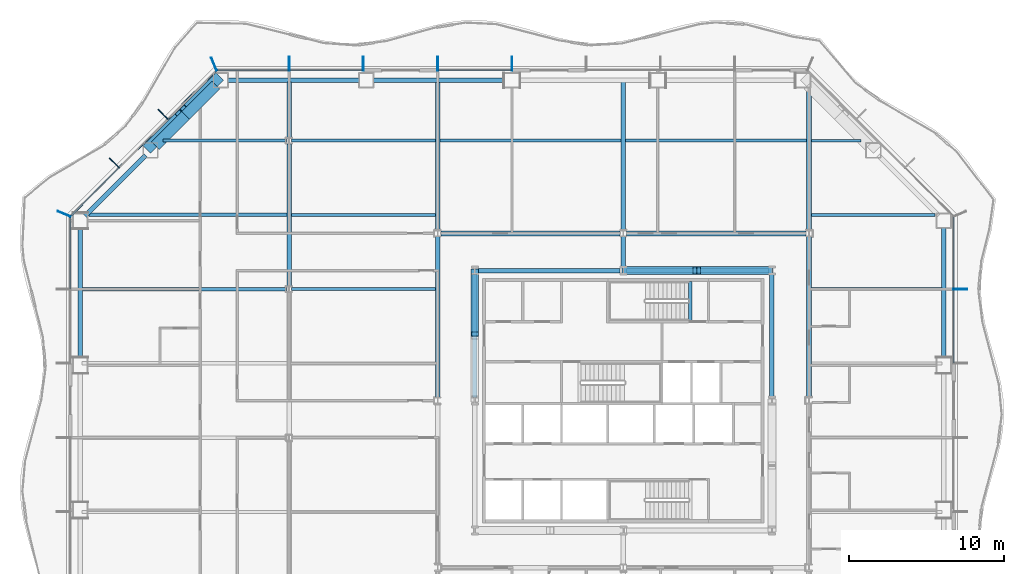
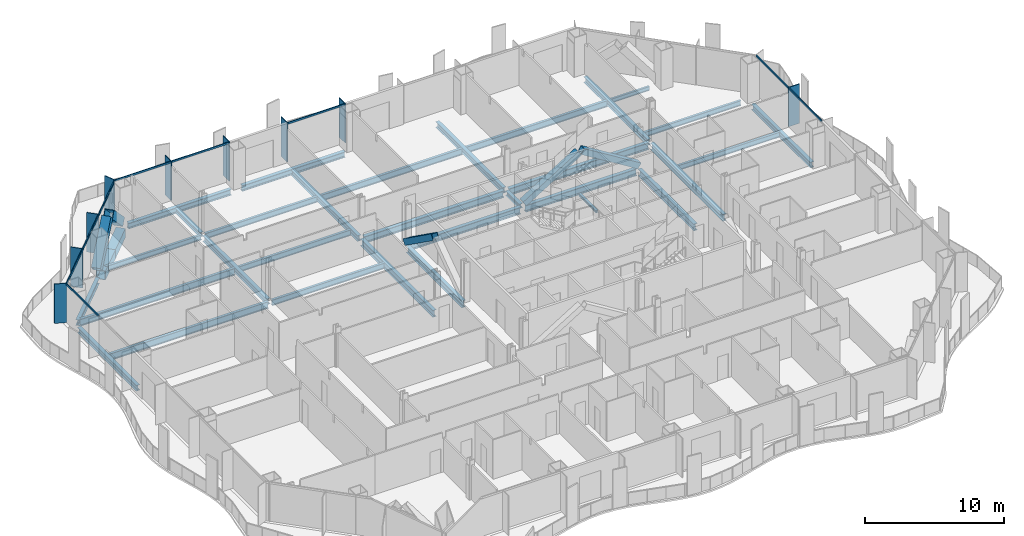
# One storey, part 3 of 21: 33 beams, 23 members, 4 elements without a shape of their own.
"""IFC4 building model written with IfcOpenShell, lengths in metres."""

from ifc_helpers import new_model, si_unit, direction, frame, origin, origin_2d, place, context, subcontext, project, spatial, rectangle, hollow_rectangle, i_section, extrude, material, material_profile, profile_set, type_object, element, aggregate, save


model = new_model("IFC4")

# Units and contexts
model_context = context("Model", 3, precision=1e-05, world=origin(), true_north=direction((0.0, 1.0)))
body_context = subcontext(model_context, "Body", "Model", "MODEL_VIEW")
ifc_project = project(units=[si_unit("LENGTHUNIT", "METRE"), si_unit("AREAUNIT", "SQUARE_METRE"), si_unit("VOLUMEUNIT", "CUBIC_METRE"), si_unit("PLANEANGLEUNIT", "RADIAN"), si_unit("MASSUNIT", "GRAM", prefix="KILO")], contexts=[model_context])

# Site, building, storey
site_placement = place(None, origin())
site = spatial("IfcSite", under=ifc_project, at=site_placement, CompositionType="ELEMENT")
building_placement = place(site_placement, origin())
building = spatial("IfcBuilding", under=site, at=building_placement, Name="Cairn Pilgrim Tower", CompositionType="ELEMENT")
storey_placement = place(building_placement, frame((0.0, 0.0, 43.800048828125)))
storey = spatial("IfcBuildingStorey", under=building, at=storey_placement, Name="L08", CompositionType="ELEMENT", Elevation=43.800048828125)

# Members
ifc_material_1 = material(Name="Structural steel S460M", Category="steel")
ifc_material_profile_1 = material_profile(ifc_material_1, hollow_rectangle(XDim=0.5, YDim=0.5, WallThickness=0.030029296875, at=origin_2d()), Name="BOX 500x500x30")
ifc_profile_set_1 = profile_set([ifc_material_profile_1], Name="Structural steel S460M")
member_type_1 = type_object("IfcMemberType", Name="BOX 500x500x30 BRACE", PredefinedType="BRACE", material=ifc_profile_set_1)
member_1_placement = place(storey_placement, frame((16.754638671875, 10.800048828125, 0.099853515625), z_axis=(-0.850917090612, 0.0, 0.525300014187), x_axis=(0.0, -1.0, 0.0)))
element("IfcMember", 1, at=member_1_placement, inside=storey, type_object=member_type_1, Name="KB-3A", PredefinedType="BRACE", context=body_context, shape_type="SweptSolid", body=[
    extrude(hollow_rectangle(XDim=0.5, YDim=0.5, WallThickness=0.030029296875, at=origin_2d()), origin(), (0.0, 0.0, 1.0), 5.525146484375),
])
member_2_placement = place(storey_placement, frame((7.245361328125, 10.800048828125, 0.099853515625), z_axis=(0.850919818074, 0.0, 0.52529559603), x_axis=(0.0, 1.0, 0.0)))
element("IfcMember", 2, at=member_2_placement, inside=storey, type_object=member_type_1, Name="KB-3B", PredefinedType="BRACE", context=body_context, shape_type="SweptSolid", body=[
    extrude(hollow_rectangle(XDim=0.5, YDim=0.5, WallThickness=0.030029296875, at=origin_2d()), origin(), (0.0, 0.0, 1.0), 5.375),
])
member_3_placement = place(storey_placement, frame((-2.39990234375, 10.754638671875, 0.099853515625), z_axis=(0.0, -0.814060275911, 0.580780394972), x_axis=(1.0, 0.0, 0.0)))
element("IfcMember", 3, at=member_3_placement, inside=storey, type_object=member_type_1, Name="KB-4A", PredefinedType="BRACE", context=body_context, shape_type="SweptSolid", body=[
    extrude(hollow_rectangle(XDim=0.5, YDim=0.5, WallThickness=0.030029296875, at=origin_2d()), origin(), (0.0, 0.0, 1.0), 4.9951171875),
])
ifc_material_profile_2 = material_profile(ifc_material_1, hollow_rectangle(XDim=0.699951171875, YDim=0.699951171875, WallThickness=0.0400390625, at=origin_2d()), Name="BOX 700x700x40")
ifc_profile_set_2 = profile_set([ifc_material_profile_2], Name="Structural steel S460M")
member_type_2 = type_object("IfcMemberType", Name="BOX 700x700x40 BRACE", PredefinedType="BRACE", material=ifc_profile_set_2)
member_4_placement = place(storey_placement, frame((-19.0498046875, 23.181396484375, 0.14990234375), z_axis=(-0.528096125699, -0.528096125699, 0.665002980477), x_axis=(0.707106781187, -0.707106781187, 0.0)))
element("IfcMember", 4, at=member_4_placement, inside=storey, type_object=member_type_2, Name="XB-NW1-NW2-1", PredefinedType="BRACE", context=body_context, shape_type="SweptSolid", body=[
    extrude(hollow_rectangle(XDim=0.699951171875, YDim=0.699951171875, WallThickness=0.0400390625, at=origin_2d()), origin(), (0.0, 0.0, 1.0), 3.89990234375),
])
member_5_placement = place(storey_placement, frame((-23.44482421875, 18.786376953125, 0.14990234375), z_axis=(0.528068439288, 0.528068439288, 0.665046950866), x_axis=(-0.707106781187, 0.707106781187, 0.0)))
element("IfcMember", 5, at=member_5_placement, inside=storey, type_object=member_type_2, Name="XB-NW1-NW2-2", PredefinedType="BRACE", context=body_context, shape_type="SweptSolid", body=[
    extrude(hollow_rectangle(XDim=0.699951171875, YDim=0.699951171875, WallThickness=0.0400390625, at=origin_2d()), origin(), (0.0, 0.0, 1.0), 3.899658203125),
])

# Beams
ifc_material_2 = material(Name="Structural steel S355J2", Category="steel")
ifc_material_profile_3 = material_profile(ifc_material_2, hollow_rectangle(XDim=0.699951171875, YDim=0.800048828125, WallThickness=0.0400390625, at=origin_2d()), Name="BOX 700x800x40")
ifc_profile_set_3 = profile_set([ifc_material_profile_3], Name="Structural steel S355J2")
beam_type_1 = type_object("IfcBeamType", Name="BOX 700x800x40 RING GIRDER", PredefinedType="SPANDREL", material=ifc_profile_set_3)
for number, where, z_axis, x_axis, name in (
    (6, (-19.1455078125, 22.78173828125, -0.550048828125), (-0.707106781187, -0.707106781187, 0.0), (0.707106781187, -0.707106781187, 0.0), "RG1-NW1-NW2-1"),
    (7, (-21.095458984375, 20.831787109375, -0.550048828125), (-0.707106781187, -0.707106781187, 0.0), (0.707106781187, -0.707106781187, 0.0), "RG1-NW1-NW2-2"),
):
    element("IfcBeam", number, at=place(storey_placement, frame(where, z_axis=z_axis, x_axis=x_axis)), inside=storey, type_object=beam_type_1, Name=name, PredefinedType="SPANDREL", context=body_context, shape_type="SweptSolid", body=[
        extrude(hollow_rectangle(XDim=0.699951171875, YDim=0.800048828125, WallThickness=0.0400390625, at=origin_2d()), origin(), (0.0, 0.0, 1.0), 2.757568359375),
    ])

# Curtain wall, member
ifc_material_3 = material(Name="Aluminium alloy 6063-T6 bronze anodised with Bronze tinted laminated low-E glass 8+16+8.8", Category="aluminium")
curtain_wall_type_1 = type_object("IfcCurtainWallType", Name="TOWER STICK CURTAIN WALL EW", PredefinedType="NOTDEFINED", material=ifc_material_3)
curtain_wall_1_placement = place(storey_placement, origin())
curtain_wall_1 = element("IfcCurtainWall", 8, at=curtain_wall_1_placement, inside=storey, type_object=curtain_wall_type_1, Name="Tower Stick Curtain Wall Ew E", PredefinedType="NOTDEFINED")
ifc_material_4 = material(Name="Aluminium alloy 6063-T6 bronze anodised", Category="aluminium")
ifc_material_profile_4 = material_profile(ifc_material_4, rectangle(XDim=0.89990234375, YDim=0.06005859375, at=origin_2d()), Name="FIN MULLION 60x900 BRONZE")
ifc_profile_set_4 = profile_set([ifc_material_profile_4], Name="Aluminium alloy 6063-T6 bronze anodised")
member_type_3 = type_object("IfcMemberType", Name="FIN MULLION 60x900 BRONZE", PredefinedType="MULLION", material=ifc_profile_set_4)
member_6_placement = place(storey_placement, frame((28.969970703125, 9.60009765625, 0.0), z_axis=(0.0, 0.0, 1.0), x_axis=(1.0, 0.0, 0.0)))
member_6 = element("IfcMember", 9, at=member_6_placement, type_object=member_type_3, Name="Fin mullion E6", PredefinedType="MULLION", context=body_context, shape_type="SweptSolid", body=[
    extrude(rectangle(XDim=0.89990234375, YDim=0.06005859375, at=origin_2d()), origin(), (0.0, 0.0, 1.0), 3.449951171875),
])

# Curtain wall, members
curtain_wall_type_2 = type_object("IfcCurtainWallType", Name="TOWER STICK CURTAIN WALL NS", PredefinedType="NOTDEFINED", material=ifc_material_3)
curtain_wall_2_placement = place(storey_placement, origin())
curtain_wall_2 = element("IfcCurtainWall", 10, at=curtain_wall_2_placement, inside=storey, type_object=curtain_wall_type_2, Name="Tower Stick Curtain Wall Ns N", PredefinedType="NOTDEFINED")
member_7_placement = place(storey_placement, frame((0.0, 24.169921875, 0.0), z_axis=(0.0, 0.0, 1.0), x_axis=(0.0, 1.0, 0.0)))
member_7 = element("IfcMember", 11, at=member_7_placement, type_object=member_type_3, Name="Fin mullion N5", PredefinedType="MULLION", context=body_context, shape_type="SweptSolid", body=[
    extrude(rectangle(XDim=0.89990234375, YDim=0.06005859375, at=origin_2d()), origin(), (0.0, 0.0, 1.0), 3.449951171875),
])
member_8_placement = place(storey_placement, frame((-4.800048828125, 24.169921875, 0.0), z_axis=(0.0, 0.0, 1.0), x_axis=(0.0, 1.0, 0.0)))
member_8 = element("IfcMember", 12, at=member_8_placement, type_object=member_type_3, Name="Fin mullion N6", PredefinedType="MULLION", context=body_context, shape_type="SweptSolid", body=[
    extrude(rectangle(XDim=0.89990234375, YDim=0.06005859375, at=origin_2d()), origin(), (0.0, 0.0, 1.0), 3.449951171875),
])
member_9_placement = place(storey_placement, frame((-9.60009765625, 24.169921875, 0.0), z_axis=(0.0, 0.0, 1.0), x_axis=(0.0, 1.0, 0.0)))
member_9 = element("IfcMember", 13, at=member_9_placement, type_object=member_type_3, Name="Fin mullion N7", PredefinedType="MULLION", context=body_context, shape_type="SweptSolid", body=[
    extrude(rectangle(XDim=0.89990234375, YDim=0.06005859375, at=origin_2d()), origin(), (0.0, 0.0, 1.0), 3.449951171875),
])
member_10_placement = place(storey_placement, frame((-14.39990234375, 24.169921875, 0.0), z_axis=(0.0, 0.0, 1.0), x_axis=(0.0, 1.0, 0.0)))
member_10 = element("IfcMember", 14, at=member_10_placement, type_object=member_type_3, Name="Fin mullion N8", PredefinedType="MULLION", context=body_context, shape_type="SweptSolid", body=[
    extrude(rectangle(XDim=0.89990234375, YDim=0.06005859375, at=origin_2d()), origin(), (0.0, 0.0, 1.0), 3.449951171875),
])

curtain_wall_type_3 = type_object("IfcCurtainWallType", Name="CHAMFER CORNER CURTAIN WALL", PredefinedType="NOTDEFINED", material=ifc_material_3)
curtain_wall_3_placement = place(storey_placement, origin())
curtain_wall_3 = element("IfcCurtainWall", 15, at=curtain_wall_3_placement, inside=storey, type_object=curtain_wall_type_3, Name="Chamfer Corner Curtain Wall NW", PredefinedType="NOTDEFINED")
member_11_placement = place(storey_placement, frame((-19.257080078125, 24.137939453125, 0.0), z_axis=(0.0, 0.0, 1.0), x_axis=(-0.382683432365, 0.923879532511, 0.0)))
member_11 = element("IfcMember", 16, at=member_11_placement, type_object=member_type_3, Name="Fin mullion NW1", PredefinedType="MULLION", context=body_context, shape_type="SweptSolid", body=[
    extrude(rectangle(XDim=0.89990234375, YDim=0.06005859375, at=origin_2d()), origin(), (0.0, 0.0, 1.0), 3.449951171875),
])
member_12_placement = place(storey_placement, frame((-22.544677734375, 20.895751953125, 0.0), z_axis=(0.0, 0.0, 1.0), x_axis=(-0.707106781187, 0.707106781187, 0.0)))
member_12 = element("IfcMember", 17, at=member_12_placement, type_object=member_type_3, Name="Fin mullion NW2", PredefinedType="MULLION", context=body_context, shape_type="SweptSolid", body=[
    extrude(rectangle(XDim=0.89990234375, YDim=0.06005859375, at=origin_2d()), origin(), (0.0, 0.0, 1.0), 3.449951171875),
])
member_13_placement = place(storey_placement, frame((-25.69580078125, 17.74462890625, 0.0), z_axis=(0.0, 0.0, 1.0), x_axis=(-0.707106781187, 0.707106781187, 0.0)))
member_13 = element("IfcMember", 18, at=member_13_placement, type_object=member_type_3, Name="Fin mullion NW3", PredefinedType="MULLION", context=body_context, shape_type="SweptSolid", body=[
    extrude(rectangle(XDim=0.89990234375, YDim=0.06005859375, at=origin_2d()), origin(), (0.0, 0.0, 1.0), 3.449951171875),
])

# Curtain wall, member
curtain_wall_4_placement = place(storey_placement, origin())
curtain_wall_4 = element("IfcCurtainWall", 19, at=curtain_wall_4_placement, inside=storey, type_object=curtain_wall_type_1, Name="Tower Stick Curtain Wall Ew W", PredefinedType="NOTDEFINED")
member_14_placement = place(storey_placement, frame((-28.93798828125, 14.457275390625, 0.0), z_axis=(0.0, 0.0, 1.0), x_axis=(-0.923879532511, 0.382683432365, 0.0)))
member_14 = element("IfcMember", 20, at=member_14_placement, type_object=member_type_3, Name="Fin mullion W1", PredefinedType="MULLION", context=body_context, shape_type="SweptSolid", body=[
    extrude(rectangle(XDim=0.89990234375, YDim=0.06005859375, at=origin_2d()), origin(), (0.0, 0.0, 1.0), 3.449951171875),
])

# Beams
ifc_material_profile_5 = material_profile(ifc_material_2, i_section(OverallWidth=0.300048828125, OverallDepth=0.39990234375, WebThickness=0.013427734375, FlangeThickness=0.02392578125, FilletRadius=0.027099609375, at=origin_2d()), Name="HEB 400")
ifc_profile_set_5 = profile_set([ifc_material_profile_5], Name="Structural steel S355J2")
beam_type_2 = type_object("IfcBeamType", Name="HEB 400 GIRDER", PredefinedType="BEAM", material=ifc_profile_set_5)
beam_1_placement = place(storey_placement, frame((-14.39990234375, 19.404541015625, -0.35009765625), z_axis=(0.0, 1.0, 0.0), x_axis=(-1.0, 0.0, 0.0)))
element("IfcBeam", 21, at=beam_1_placement, inside=storey, type_object=beam_type_2, Name="PG1-6", PredefinedType="BEAM", context=body_context, shape_type="SweptSolid", body=[
    extrude(i_section(OverallWidth=0.300048828125, OverallDepth=0.39990234375, WebThickness=0.013427734375, FlangeThickness=0.02392578125, FilletRadius=0.027099609375, at=origin_2d()), origin(), (0.0, 0.0, 1.0), 3.575439453125),
])
beam_2_placement = place(storey_placement, frame((7.199951171875, 11.027099609375, -0.35009765625), z_axis=(0.0, 1.0, 0.0), x_axis=(-1.0, 0.0, 0.0)))
element("IfcBeam", 22, at=beam_2_placement, inside=storey, type_object=beam_type_2, Name="PG3-E2", PredefinedType="BEAM", context=body_context, shape_type="SweptSolid", body=[
    extrude(i_section(OverallWidth=0.300048828125, OverallDepth=0.39990234375, WebThickness=0.013427734375, FlangeThickness=0.02392578125, FilletRadius=0.027099609375, at=origin_2d()), origin(), (0.0, 0.0, 1.0), 1.9609375),
])
ifc_material_profile_6 = material_profile(ifc_material_2, i_section(OverallWidth=0.300048828125, OverallDepth=0.5, WebThickness=0.014404296875, FlangeThickness=0.028076171875, FilletRadius=0.027099609375, at=origin_2d()), Name="HEB 500")
ifc_profile_set_6 = profile_set([ifc_material_profile_6], Name="Structural steel S355J2")
beam_type_3 = type_object("IfcBeamType", Name="HEB 500 GIRDER", PredefinedType="BEAM", material=ifc_profile_set_6)
beam_3_placement = place(storey_placement, frame((-14.39990234375, 9.804443359375, -0.400146484375), z_axis=(0.0, 1.0, 0.0), x_axis=(-1.0, 0.0, 0.0)))
element("IfcBeam", 23, at=beam_3_placement, inside=storey, type_object=beam_type_3, Name="PG1-5", PredefinedType="BEAM", context=body_context, shape_type="SweptSolid", body=[
    extrude(i_section(OverallWidth=0.300048828125, OverallDepth=0.5, WebThickness=0.014404296875, FlangeThickness=0.028076171875, FilletRadius=0.027099609375, at=origin_2d()), origin(), (0.0, 0.0, 1.0), 9.191162109375),
])
for number, where, z_axis, x_axis, name in (
    (24, (-4.800048828125, 13.412109375, -0.400146484375), (0.0, 1.0, 0.0), (-1.0, 0.0, 0.0), "PG2-4"),
    (25, (7.199951171875, 13.412109375, -0.400146484375), (0.0, 1.0, 0.0), (-1.0, 0.0, 0.0), "PG3-2"),
):
    element("IfcBeam", number, at=place(storey_placement, frame(where, z_axis=z_axis, x_axis=x_axis)), inside=storey, type_object=beam_type_3, Name=name, PredefinedType="BEAM", context=body_context, shape_type="SweptSolid", body=[
        extrude(i_section(OverallWidth=0.300048828125, OverallDepth=0.5, WebThickness=0.014404296875, FlangeThickness=0.028076171875, FilletRadius=0.027099609375, at=origin_2d()), origin(), (0.0, 0.0, 1.0), 9.56787109375),
    ])
beam_4_placement = place(storey_placement, frame((19.199951171875, 13.412109375, -0.400146484375), z_axis=(0.0, 1.0, 0.0), x_axis=(-1.0, 0.0, 0.0)))
element("IfcBeam", 26, at=beam_4_placement, inside=storey, type_object=beam_type_3, Name="PG4-4", PredefinedType="BEAM", context=body_context, shape_type="SweptSolid", body=[
    extrude(i_section(OverallWidth=0.300048828125, OverallDepth=0.5, WebThickness=0.014404296875, FlangeThickness=0.028076171875, FilletRadius=0.027099609375, at=origin_2d()), origin(), (0.0, 0.0, 1.0), 9.133056640625),
])
ifc_material_profile_7 = material_profile(ifc_material_2, i_section(OverallWidth=0.300048828125, OverallDepth=0.5, WebThickness=0.014404296875, FlangeThickness=0.028076171875, FilletRadius=0.027099609375, at=origin_2d()), Name="HEB 500")
ifc_profile_set_7 = profile_set([ifc_material_profile_7], Name="Structural steel S355J2")
beam_type_4 = type_object("IfcBeamType", Name="HEB 500 RING GIRDER", PredefinedType="SPANDREL", material=ifc_profile_set_7)
beam_5_placement = place(storey_placement, frame((27.89990234375, 5.125732421875, -0.400146484375), z_axis=(0.0, 1.0, 0.0), x_axis=(-1.0, 0.0, 0.0)))
element("IfcBeam", 27, at=beam_5_placement, inside=storey, type_object=beam_type_4, Name="RG1-E3-NE1", PredefinedType="SPANDREL", context=body_context, shape_type="SweptSolid", body=[
    extrude(i_section(OverallWidth=0.300048828125, OverallDepth=0.5, WebThickness=0.014404296875, FlangeThickness=0.028076171875, FilletRadius=0.027099609375, at=origin_2d()), origin(), (0.0, 0.0, 1.0), 8.451416015625),
])
for number, where, z_axis, x_axis, name in (
    (28, (-0.449951171875, 23.10009765625, -0.400146484375), (-1.0, 0.0, 0.0), (0.0, -1.0, 0.0), "RG1-N3-N4"),
    (29, (-9.863525390625, 23.10009765625, -0.400146484375), (-1.0, 0.0, 0.0), (0.0, -1.0, 0.0), "RG1-N4-NW1"),
):
    element("IfcBeam", number, at=place(storey_placement, frame(where, z_axis=z_axis, x_axis=x_axis)), inside=storey, type_object=beam_type_4, Name=name, PredefinedType="SPANDREL", context=body_context, shape_type="SweptSolid", body=[
        extrude(i_section(OverallWidth=0.300048828125, OverallDepth=0.5, WebThickness=0.014404296875, FlangeThickness=0.028076171875, FilletRadius=0.027099609375, at=origin_2d()), origin(), (0.0, 0.0, 1.0), 8.513671875),
    ])
beam_6_placement = place(storey_placement, frame((-23.681884765625, 18.245361328125, -0.400146484375), z_axis=(-0.707106781187, -0.707106781187, 0.0), x_axis=(0.707106781187, -0.707106781187, 0.0)))
element("IfcBeam", 30, at=beam_6_placement, inside=storey, type_object=beam_type_4, Name="RG1-NW2-W1", PredefinedType="SPANDREL", context=body_context, shape_type="SweptSolid", body=[
    extrude(i_section(OverallWidth=0.300048828125, OverallDepth=0.5, WebThickness=0.014404296875, FlangeThickness=0.028076171875, FilletRadius=0.027099609375, at=origin_2d()), origin(), (0.0, 0.0, 1.0), 5.515380859375),
])
beam_7_placement = place(storey_placement, frame((-27.89990234375, 13.5771484375, -0.400146484375), z_axis=(0.0, -1.0, 0.0), x_axis=(1.0, 0.0, 0.0)))
element("IfcBeam", 31, at=beam_7_placement, inside=storey, type_object=beam_type_4, Name="RG1-W1-W2", PredefinedType="SPANDREL", context=body_context, shape_type="SweptSolid", body=[
    extrude(i_section(OverallWidth=0.300048828125, OverallDepth=0.5, WebThickness=0.014404296875, FlangeThickness=0.028076171875, FilletRadius=0.027099609375, at=origin_2d()), origin(), (0.0, 0.0, 1.0), 8.451416015625),
])
ifc_material_profile_8 = material_profile(ifc_material_2, i_section(OverallWidth=0.300048828125, OverallDepth=0.60009765625, WebThickness=0.015380859375, FlangeThickness=0.030029296875, FilletRadius=0.027099609375, at=origin_2d()), Name="HEB 600")
ifc_profile_set_8 = profile_set([ifc_material_profile_8], Name="Structural steel S355J2")
beam_type_5 = type_object("IfcBeamType", Name="HEB 600 CORE BEAM", PredefinedType="BEAM", material=ifc_profile_set_8)
beam_8_placement = place(storey_placement, frame((16.800048828125, 2.604248046875, -0.449951171875), z_axis=(0.0, 1.0, 0.0), x_axis=(-1.0, 0.0, 0.0)))
element("IfcBeam", 32, at=beam_8_placement, inside=storey, type_object=beam_type_5, Name="CB-4", PredefinedType="BEAM", context=body_context, shape_type="SweptSolid", body=[
    extrude(i_section(OverallWidth=0.300048828125, OverallDepth=0.60009765625, WebThickness=0.015380859375, FlangeThickness=0.030029296875, FilletRadius=0.027099609375, at=origin_2d()), origin(), (0.0, 0.0, 1.0), 7.991455078125),
])
for number, where, z_axis, x_axis, name in (
    (33, (16.595703125, 10.800048828125, -0.449951171875), (-1.0, 0.0, 0.0), (0.0, -1.0, 0.0), "CB-5"),
    (34, (6.99560546875, 10.800048828125, -0.449951171875), (-1.0, 0.0, 0.0), (0.0, -1.0, 0.0), "CB-6"),
):
    element("IfcBeam", number, at=place(storey_placement, frame(where, z_axis=z_axis, x_axis=x_axis)), inside=storey, type_object=beam_type_5, Name=name, PredefinedType="BEAM", context=body_context, shape_type="SweptSolid", body=[
        extrude(i_section(OverallWidth=0.300048828125, OverallDepth=0.60009765625, WebThickness=0.015380859375, FlangeThickness=0.030029296875, FilletRadius=0.027099609375, at=origin_2d()), origin(), (0.0, 0.0, 1.0), 9.19140625),
    ])
beam_9_placement = place(storey_placement, frame((-2.39990234375, 10.595703125, -0.449951171875), z_axis=(0.0, -1.0, 0.0), x_axis=(1.0, 0.0, 0.0)))
element("IfcBeam", 35, at=beam_9_placement, inside=storey, type_object=beam_type_5, Name="CB-7", PredefinedType="BEAM", context=body_context, shape_type="SweptSolid", body=[
    extrude(i_section(OverallWidth=0.300048828125, OverallDepth=0.60009765625, WebThickness=0.015380859375, FlangeThickness=0.030029296875, FilletRadius=0.027099609375, at=origin_2d()), origin(), (0.0, 0.0, 1.0), 7.991455078125),
])
ifc_material_profile_9 = material_profile(ifc_material_2, i_section(OverallWidth=0.300048828125, OverallDepth=0.60009765625, WebThickness=0.015380859375, FlangeThickness=0.030029296875, FilletRadius=0.027099609375, at=origin_2d()), Name="HEB 600")
ifc_profile_set_9 = profile_set([ifc_material_profile_9], Name="Structural steel S355J2")
beam_type_6 = type_object("IfcBeamType", Name="HEB 600 GIRDER", PredefinedType="BEAM", material=ifc_profile_set_9)
for number, where, z_axis, x_axis, name in (
    (36, (-4.800048828125, 2.612060546875, -0.449951171875), (0.0, 1.0, 0.0), (-1.0, 0.0, 0.0), "PG2-3"),
    (37, (19.199951171875, 2.612060546875, -0.449951171875), (0.0, 1.0, 0.0), (-1.0, 0.0, 0.0), "PG4-3"),
):
    element("IfcBeam", number, at=place(storey_placement, frame(where, z_axis=z_axis, x_axis=x_axis)), inside=storey, type_object=beam_type_6, Name=name, PredefinedType="BEAM", context=body_context, shape_type="SweptSolid", body=[
        extrude(i_section(OverallWidth=0.300048828125, OverallDepth=0.60009765625, WebThickness=0.015380859375, FlangeThickness=0.030029296875, FilletRadius=0.027099609375, at=origin_2d()), origin(), (0.0, 0.0, 1.0), 10.3759765625),
    ])
ifc_material_profile_10 = material_profile(ifc_material_2, i_section(OverallWidth=0.300048828125, OverallDepth=0.60009765625, WebThickness=0.015380859375, FlangeThickness=0.030029296875, FilletRadius=0.027099609375, at=origin_2d()), Name="HEB 600")
ifc_profile_set_10 = profile_set([ifc_material_profile_10], Name="Structural steel S355J2")
beam_type_7 = type_object("IfcBeamType", Name="HEB 600 INNER GIRDER", PredefinedType="BEAM", material=ifc_profile_set_10)
for number, where, z_axis, x_axis, name in (
    (38, (-4.587890625, 13.199951171875, -0.449951171875), (1.0, 0.0, 0.0), (0.0, 1.0, 0.0), "IG2-1"),
    (39, (7.412109375, 13.199951171875, -0.449951171875), (1.0, 0.0, 0.0), (0.0, 1.0, 0.0), "IG2-2"),
):
    element("IfcBeam", number, at=place(storey_placement, frame(where, z_axis=z_axis, x_axis=x_axis)), inside=storey, type_object=beam_type_7, Name=name, PredefinedType="BEAM", context=body_context, shape_type="SweptSolid", body=[
        extrude(i_section(OverallWidth=0.300048828125, OverallDepth=0.60009765625, WebThickness=0.015380859375, FlangeThickness=0.030029296875, FilletRadius=0.027099609375, at=origin_2d()), origin(), (0.0, 0.0, 1.0), 11.575927734375),
    ])
ifc_material_profile_11 = material_profile(ifc_material_2, i_section(OverallWidth=0.169921875, OverallDepth=0.360107421875, WebThickness=0.008056640625, FlangeThickness=0.0126953125, FilletRadius=0.01806640625, at=origin_2d()), Name="IPE 360")
ifc_profile_set_11 = profile_set([ifc_material_profile_11], Name="Structural steel S355J2")
beam_type_8 = type_object("IfcBeamType", Name="IPE 360 SECONDARY BEAM", PredefinedType="JOIST", material=ifc_profile_set_11)
beam_10_placement = place(storey_placement, frame((19.35009765625, 19.199951171875, -0.330078125), z_axis=(1.0, 0.0, 0.0), x_axis=(0.0, 1.0, 0.0)))
element("IfcBeam", 40, at=beam_10_placement, inside=storey, type_object=beam_type_8, Name="SB9-5", PredefinedType="JOIST", context=body_context, shape_type="SweptSolid", body=[
    extrude(i_section(OverallWidth=0.169921875, OverallDepth=0.360107421875, WebThickness=0.008056640625, FlangeThickness=0.0126953125, FilletRadius=0.01806640625, at=origin_2d()), origin(), (0.0, 0.0, 1.0), 3.195068359375),
])
ifc_material_profile_12 = material_profile(ifc_material_2, i_section(OverallWidth=0.18994140625, OverallDepth=0.449951171875, WebThickness=0.009521484375, FlangeThickness=0.0146484375, FilletRadius=0.02099609375, at=origin_2d()), Name="IPE 450")
ifc_profile_set_12 = profile_set([ifc_material_profile_12], Name="Structural steel S355J2")
beam_type_9 = type_object("IfcBeamType", Name="IPE 450 SECONDARY BEAM", PredefinedType="JOIST", material=ifc_profile_set_12)
beam_11_placement = place(storey_placement, frame((19.35009765625, 9.60009765625, -0.375), z_axis=(1.0, 0.0, 0.0), x_axis=(0.0, 1.0, 0.0)))
element("IfcBeam", 41, at=beam_11_placement, inside=storey, type_object=beam_type_9, Name="SB7-3", PredefinedType="JOIST", context=body_context, shape_type="SweptSolid", body=[
    extrude(i_section(OverallWidth=0.18994140625, OverallDepth=0.449951171875, WebThickness=0.009521484375, FlangeThickness=0.0146484375, FilletRadius=0.02099609375, at=origin_2d()), origin(), (0.0, 0.0, 1.0), 8.429931640625),
])
for number, where, z_axis, x_axis, name in (
    (42, (19.35009765625, 14.39990234375, -0.375), (1.0, 0.0, 0.0), (0.0, 1.0, 0.0), "SB8-3"),
    (43, (-22.545166015625, 19.199951171875, -0.375), (1.0, 0.0, 0.0), (0.0, 1.0, 0.0), "SB9-1"),
):
    element("IfcBeam", number, at=place(storey_placement, frame(where, z_axis=z_axis, x_axis=x_axis)), inside=storey, type_object=beam_type_9, Name=name, PredefinedType="JOIST", context=body_context, shape_type="SweptSolid", body=[
        extrude(i_section(OverallWidth=0.18994140625, OverallDepth=0.449951171875, WebThickness=0.009521484375, FlangeThickness=0.0146484375, FilletRadius=0.02099609375, at=origin_2d()), origin(), (0.0, 0.0, 1.0), 7.9951171875),
    ])
ifc_material_profile_13 = material_profile(ifc_material_2, i_section(OverallWidth=0.199951171875, OverallDepth=0.5, WebThickness=0.01025390625, FlangeThickness=0.01611328125, FilletRadius=0.02099609375, at=origin_2d()), Name="IPE 500")
ifc_profile_set_13 = profile_set([ifc_material_profile_13], Name="Structural steel S355J2")
beam_type_10 = type_object("IfcBeamType", Name="IPE 500 SECONDARY BEAM", PredefinedType="JOIST", material=ifc_profile_set_13)
for number, where, z_axis, x_axis, name in (
    (44, (-14.25, 9.60009765625, -0.400146484375), (1.0, 0.0, 0.0), (0.0, 1.0, 0.0), "SB7-2"),
    (45, (-14.25, 14.39990234375, -0.400146484375), (1.0, 0.0, 0.0), (0.0, 1.0, 0.0), "SB8-2"),
    (46, (-14.25, 19.199951171875, -0.400146484375), (1.0, 0.0, 0.0), (0.0, 1.0, 0.0), "SB9-2"),
):
    element("IfcBeam", number, at=place(storey_placement, frame(where, z_axis=z_axis, x_axis=x_axis)), inside=storey, type_object=beam_type_10, Name=name, PredefinedType="JOIST", context=body_context, shape_type="SweptSolid", body=[
        extrude(i_section(OverallWidth=0.199951171875, OverallDepth=0.5, WebThickness=0.01025390625, FlangeThickness=0.01611328125, FilletRadius=0.02099609375, at=origin_2d()), origin(), (0.0, 0.0, 1.0), 9.300048828125),
    ])
ifc_material_profile_14 = material_profile(ifc_material_2, i_section(OverallWidth=0.2099609375, OverallDepth=0.550048828125, WebThickness=0.010986328125, FlangeThickness=0.01708984375, FilletRadius=0.02392578125, at=origin_2d()), Name="IPE 550")
ifc_profile_set_14 = profile_set([ifc_material_profile_14], Name="Structural steel S355J2")
beam_type_11 = type_object("IfcBeamType", Name="IPE 550 SECONDARY BEAM", PredefinedType="JOIST", material=ifc_profile_set_14)
for number, where, z_axis, x_axis, name in (
    (47, (-4.64990234375, 19.199951171875, -0.425048828125), (1.0, 0.0, 0.0), (0.0, 1.0, 0.0), "SB9-3"),
    (48, (7.35009765625, 19.199951171875, -0.425048828125), (1.0, 0.0, 0.0), (0.0, 1.0, 0.0), "SB9-4"),
):
    element("IfcBeam", number, at=place(storey_placement, frame(where, z_axis=z_axis, x_axis=x_axis)), inside=storey, type_object=beam_type_11, Name=name, PredefinedType="JOIST", context=body_context, shape_type="SweptSolid", body=[
        extrude(i_section(OverallWidth=0.2099609375, OverallDepth=0.550048828125, WebThickness=0.010986328125, FlangeThickness=0.01708984375, FilletRadius=0.02392578125, at=origin_2d()), origin(), (0.0, 0.0, 1.0), 11.699951171875),
    ])
ifc_material_profile_15 = material_profile(ifc_material_2, i_section(OverallWidth=0.219970703125, OverallDepth=0.60009765625, WebThickness=0.011962890625, FlangeThickness=0.01904296875, FilletRadius=0.02392578125, at=origin_2d()), Name="IPE 600")
ifc_profile_set_15 = profile_set([ifc_material_profile_15], Name="Structural steel S355J2")
beam_type_12 = type_object("IfcBeamType", Name="IPE 600 SECONDARY BEAM", PredefinedType="JOIST", material=ifc_profile_set_15)
beam_12_placement = place(storey_placement, frame((-27.780029296875, 9.60009765625, -0.449951171875), z_axis=(1.0, 0.0, 0.0), x_axis=(0.0, 1.0, 0.0)))
element("IfcBeam", 49, at=beam_12_placement, inside=storey, type_object=beam_type_12, Name="SB7-1", PredefinedType="JOIST", context=body_context, shape_type="SweptSolid", body=[
    extrude(i_section(OverallWidth=0.219970703125, OverallDepth=0.60009765625, WebThickness=0.011962890625, FlangeThickness=0.01904296875, FilletRadius=0.02392578125, at=origin_2d()), origin(), (0.0, 0.0, 1.0), 13.22998046875),
])
beam_13_placement = place(storey_placement, frame((-27.34521484375, 14.39990234375, -0.449951171875), z_axis=(1.0, 0.0, 0.0), x_axis=(0.0, 1.0, 0.0)))
element("IfcBeam", 50, at=beam_13_placement, inside=storey, type_object=beam_type_12, Name="SB8-1", PredefinedType="JOIST", context=body_context, shape_type="SweptSolid", body=[
    extrude(i_section(OverallWidth=0.219970703125, OverallDepth=0.60009765625, WebThickness=0.011962890625, FlangeThickness=0.01904296875, FilletRadius=0.02392578125, at=origin_2d()), origin(), (0.0, 0.0, 1.0), 12.795166015625),
])
ifc_material_profile_16 = material_profile(ifc_material_2, i_section(OverallWidth=0.199951171875, OverallDepth=0.199951171875, WebThickness=0.009033203125, FlangeThickness=0.014892578125, FilletRadius=0.01806640625, at=origin_2d()), Name="HE 200 B")
ifc_profile_set_16 = profile_set([ifc_material_profile_16], Name="Structural steel S355J2")
beam_type_13 = type_object("IfcBeamType", Name="STAIR LANDING BEAM HE 200 B", PredefinedType="BEAM", material=ifc_profile_set_16)
beam_14_placement = place(storey_placement, frame((11.5244140625, 10.10009765625, -0.25), z_axis=(0.0, -1.0, 0.0), x_axis=(1.0, 0.0, 0.0)))
element("IfcBeam", 51, at=beam_14_placement, inside=storey, type_object=beam_type_13, Name="STAIR LANDING BEAM LD-HE200B", PredefinedType="BEAM", context=body_context, shape_type="SweptSolid", body=[
    extrude(i_section(OverallWidth=0.199951171875, OverallDepth=0.199951171875, WebThickness=0.009033203125, FlangeThickness=0.014892578125, FilletRadius=0.01806640625, at=origin_2d()), origin(), (0.0, 0.0, 1.0), 2.525146484375),
])

# Member
ifc_material_profile_17 = material_profile(ifc_material_4, rectangle(XDim=0.080078125, YDim=0.14990234375, at=origin_2d()), Name="TRANSOM 80x150 BRONZE")
ifc_profile_set_17 = profile_set([ifc_material_profile_17], Name="Aluminium alloy 6063-T6 bronze anodised")
member_type_4 = type_object("IfcMemberType", Name="TRANSOM 80x150 BRONZE", PredefinedType="USERDEFINED", material=ifc_profile_set_17)
member_15_placement = place(storey_placement, frame((28.550048828125, 4.830078125, 3.375), z_axis=(0.0, 1.0, 0.0), x_axis=(-1.0, 0.0, 0.0)))
member_15 = element("IfcMember", 52, at=member_15_placement, type_object=member_type_4, Name="Transom E5", ObjectType="TRANSOM", PredefinedType="USERDEFINED", context=body_context, shape_type="SweptSolid", body=[
    extrude(rectangle(XDim=0.080078125, YDim=0.14990234375, at=origin_2d()), origin(), (0.0, 0.0, 1.0), 4.739990234375),
])

member_16_placement = place(storey_placement, frame((28.550048828125, 9.6298828125, 3.375), z_axis=(0.0, 1.0, 0.0), x_axis=(-1.0, 0.0, 0.0)))
member_16 = element("IfcMember", 53, at=member_16_placement, type_object=member_type_4, Name="Transom E6", ObjectType="TRANSOM", PredefinedType="USERDEFINED", context=body_context, shape_type="SweptSolid", body=[
    extrude(rectangle(XDim=0.080078125, YDim=0.14990234375, at=origin_2d()), origin(), (0.0, 0.0, 1.0), 4.62646484375),
])

aggregate(curtain_wall_1, [member_6, member_15, member_16])

member_17_placement = place(storey_placement, frame((-0.030029296875, 23.75, 3.375), z_axis=(-1.0, 0.0, 0.0), x_axis=(0.0, -1.0, 0.0)))
member_17 = element("IfcMember", 54, at=member_17_placement, type_object=member_type_4, Name="Transom N5", ObjectType="TRANSOM", PredefinedType="USERDEFINED", context=body_context, shape_type="SweptSolid", body=[
    extrude(rectangle(XDim=0.080078125, YDim=0.14990234375, at=origin_2d()), origin(), (0.0, 0.0, 1.0), 4.739990234375),
])

member_18_placement = place(storey_placement, frame((-9.6298828125, 23.75, 3.375), z_axis=(-1.0, 0.0, 0.0), x_axis=(0.0, -1.0, 0.0)))
member_18 = element("IfcMember", 55, at=member_18_placement, type_object=member_type_4, Name="Transom N7", ObjectType="TRANSOM", PredefinedType="USERDEFINED", context=body_context, shape_type="SweptSolid", body=[
    extrude(rectangle(XDim=0.080078125, YDim=0.14990234375, at=origin_2d()), origin(), (0.0, 0.0, 1.0), 4.740234375),
])

member_19_placement = place(storey_placement, frame((-14.429931640625, 23.75, 3.375), z_axis=(-1.0, 0.0, 0.0), x_axis=(0.0, -1.0, 0.0)))
member_19 = element("IfcMember", 56, at=member_19_placement, type_object=member_type_4, Name="Transom N8", ObjectType="TRANSOM", PredefinedType="USERDEFINED", context=body_context, shape_type="SweptSolid", body=[
    extrude(rectangle(XDim=0.080078125, YDim=0.14990234375, at=origin_2d()), origin(), (0.0, 0.0, 1.0), 4.62646484375),
])

aggregate(curtain_wall_2, [member_7, member_8, member_9, member_10, member_17, member_18, member_19])

member_20_placement = place(storey_placement, frame((-19.124755859375, 23.7216796875, 3.375), z_axis=(-0.707106781187, -0.707106781187, 0.0), x_axis=(0.707106781187, -0.707106781187, 0.0)))
member_20 = element("IfcMember", 57, at=member_20_placement, type_object=member_type_4, Name="Transom NW1", ObjectType="TRANSOM", PredefinedType="USERDEFINED", context=body_context, shape_type="SweptSolid", body=[
    extrude(rectangle(XDim=0.080078125, YDim=0.14990234375, at=origin_2d()), origin(), (0.0, 0.0, 1.0), 4.38623046875),
])

member_21_placement = place(storey_placement, frame((-22.268798828125, 20.57763671875, 3.375), z_axis=(-0.707106781187, -0.707106781187, 0.0), x_axis=(0.707106781187, -0.707106781187, 0.0)))
member_21 = element("IfcMember", 58, at=member_21_placement, type_object=member_type_4, Name="Transom NW2", ObjectType="TRANSOM", PredefinedType="USERDEFINED", context=body_context, shape_type="SweptSolid", body=[
    extrude(rectangle(XDim=0.080078125, YDim=0.14990234375, at=origin_2d()), origin(), (0.0, 0.0, 1.0), 4.396728515625),
])

member_22_placement = place(storey_placement, frame((-25.419921875, 17.426513671875, 3.375), z_axis=(-0.707106781187, -0.707106781187, 0.0), x_axis=(0.707106781187, -0.707106781187, 0.0)))
member_22 = element("IfcMember", 59, at=member_22_placement, type_object=member_type_4, Name="Transom NW3", ObjectType="TRANSOM", PredefinedType="USERDEFINED", context=body_context, shape_type="SweptSolid", body=[
    extrude(rectangle(XDim=0.080078125, YDim=0.14990234375, at=origin_2d()), origin(), (0.0, 0.0, 1.0), 4.38671875),
])

aggregate(curtain_wall_3, [member_11, member_12, member_13, member_20, member_21, member_22])

member_23_placement = place(storey_placement, frame((-28.550048828125, 14.25634765625, 3.375), z_axis=(0.0, -1.0, 0.0), x_axis=(1.0, 0.0, 0.0)))
member_23 = element("IfcMember", 60, at=member_23_placement, type_object=member_type_4, Name="Transom W1", ObjectType="TRANSOM", PredefinedType="USERDEFINED", context=body_context, shape_type="SweptSolid", body=[
    extrude(rectangle(XDim=0.080078125, YDim=0.14990234375, at=origin_2d()), origin(), (0.0, 0.0, 1.0), 4.62646484375),
])

aggregate(curtain_wall_4, [member_14, member_23])

save(model, "model.ifc")
